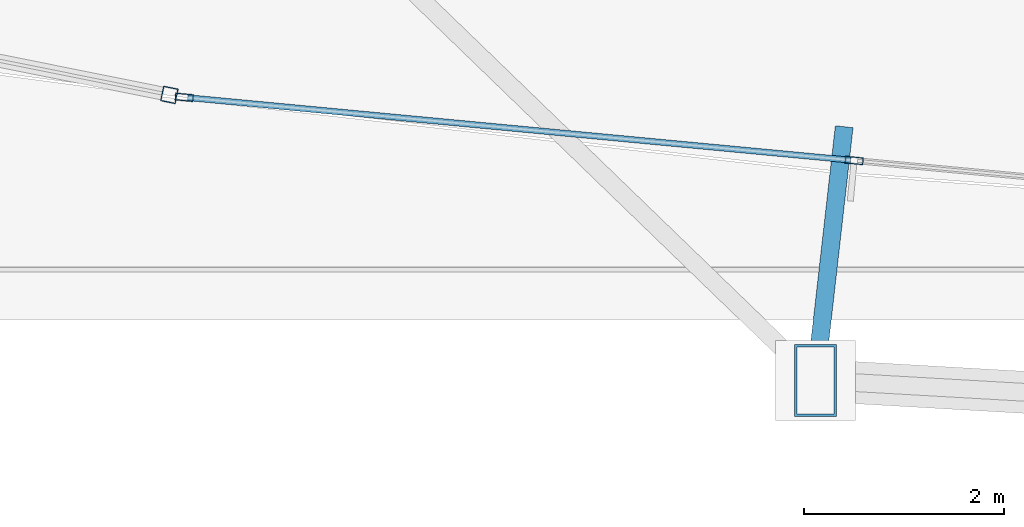
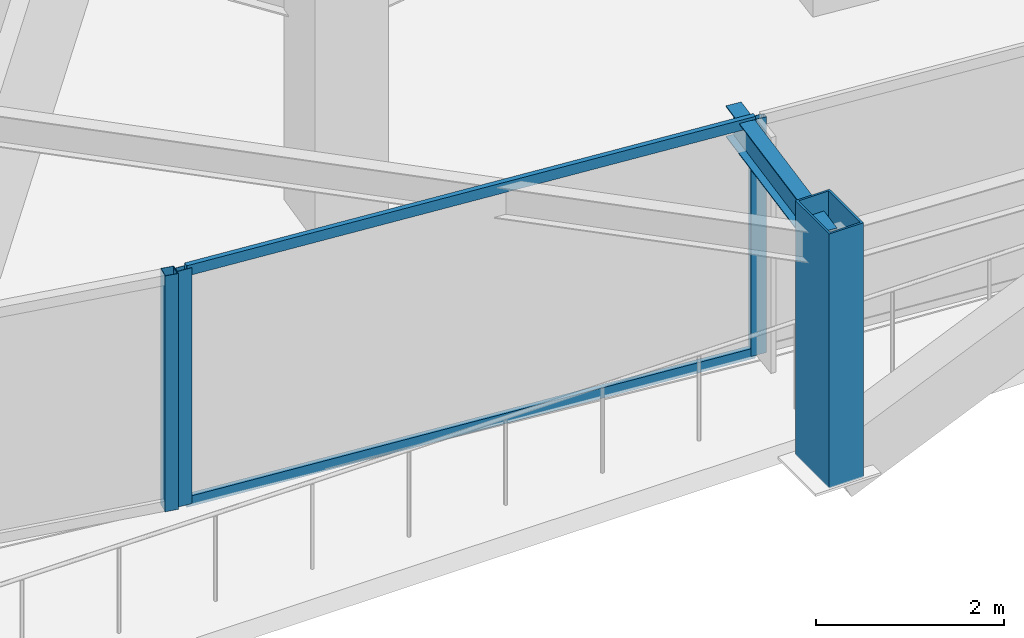
# One storey, part 4 of 36: 6 members, 1 beam, 2 elements without a shape of their own.
"""IFC4 building model written with IfcOpenShell, lengths in metres."""

from ifc_helpers import new_model, si_unit, direction, frame, origin, origin_2d, place, context, subcontext, project, spatial, hollow_rectangle, i_section, extrude, material, layer, layer_set, material_profile, profile_set, type_object, element, aggregate, save


model = new_model("IFC4")

# Units and contexts
model_context = context("Model", 3, precision=1e-05, world=origin(), true_north=direction((0.0, 1.0)))
body_context = subcontext(model_context, "Body", "Model", "MODEL_VIEW")
ifc_project = project(units=[si_unit("LENGTHUNIT", "METRE"), si_unit("AREAUNIT", "SQUARE_METRE"), si_unit("VOLUMEUNIT", "CUBIC_METRE"), si_unit("PLANEANGLEUNIT", "RADIAN"), si_unit("MASSUNIT", "GRAM", prefix="KILO")], contexts=[model_context])

# Site, building, storey
site_placement = place(None, origin())
site = spatial("IfcSite", under=ifc_project, at=site_placement, CompositionType="ELEMENT")
building_placement = place(site_placement, origin())
building = spatial("IfcBuilding", under=site, at=building_placement, Name="Orvanel Arch Residences", CompositionType="ELEMENT")
storey_placement = place(building_placement, frame((0.0, 0.0, 23.60009765625)))
storey = spatial("IfcBuildingStorey", under=building, at=storey_placement, Name="L05", CompositionType="ELEMENT", Elevation=23.60009765625)

# Member
ifc_material_1 = material(Name="Structural steel AS/NZS 3678 Grade 350", Category="steel")
ifc_material_profile_1 = material_profile(ifc_material_1, hollow_rectangle(XDim=0.419921875, YDim=0.719970703125, WallThickness=0.02490234375, at=origin_2d()), Name="RHS720x420x25")
ifc_profile_set_1 = profile_set([ifc_material_profile_1], Name="Structural steel AS/NZS 3678 Grade 350")
member_type_1 = type_object("IfcMemberType", Name="CH-720RHS-EXT", PredefinedType="CHORD", material=ifc_profile_set_1)
member_1_placement = place(storey_placement, frame((19.125, -0.35595703125, 0.0), z_axis=(0.0, 0.0, 1.0), x_axis=(1.0, 0.0, 0.0)))
element("IfcMember", 1, at=member_1_placement, inside=storey, type_object=member_type_1, Name="L05 Outer Perimeter Frame Post 05", PredefinedType="CHORD", context=body_context, shape_type="SweptSolid", body=[
    extrude(hollow_rectangle(XDim=0.419921875, YDim=0.719970703125, WallThickness=0.02490234375, at=origin_2d()), origin(), (0.0, 0.0, 1.0), 3.2998046875),
])

# Curtain wall, member
ifc_material_2 = material(Name="Bronze-anodised aluminium AA6063-T6", Category="aluminium")
ifc_layer_1 = layer(ifc_material_2, 0.18994140625)
ifc_layer_set_1 = layer_set([ifc_layer_1], Name="Bronze-anodised aluminium AA6063-T6")
curtain_wall_type_1 = type_object("IfcCurtainWallType", Name="CW5-CRN-SYS", PredefinedType="NOTDEFINED", material=ifc_layer_set_1)
curtain_wall_1_placement = place(storey_placement, origin())
curtain_wall_1 = element("IfcCurtainWall", 2, at=curtain_wall_1_placement, inside=storey, type_object=curtain_wall_type_1, Name="L05 CW5-CRN-SYS Unitised Curtain Wall", PredefinedType="NOTDEFINED")
ifc_material_profile_2 = material_profile(ifc_material_2, hollow_rectangle(XDim=0.14990234375, YDim=0.14990234375, WallThickness=0.0048828125, at=origin_2d()), Name="ALU150x150x5")
ifc_profile_set_2 = profile_set([ifc_material_profile_2], Name="Bronze-anodised aluminium AA6063-T6")
member_type_2 = type_object("IfcMemberType", Name="MUL-150x150", PredefinedType="MULLION", material=ifc_profile_set_2)
member_2_placement = place(storey_placement, frame((12.673583984375, 2.494873046875, 0.0), z_axis=(0.0, 0.0, 1.0), x_axis=(0.197038556687, 0.980395740086, 0.0)))
member_2 = element("IfcMember", 3, at=member_2_placement, type_object=member_type_2, Name="CW-S5 mullion 3", PredefinedType="MULLION", context=body_context, shape_type="SweptSolid", body=[
    extrude(hollow_rectangle(XDim=0.14990234375, YDim=0.14990234375, WallThickness=0.0048828125, at=origin_2d()), origin(), (0.0, 0.0, 1.0), 3.059814453125),
])
aggregate(curtain_wall_1, [member_2])

# Curtain wall, members
ifc_layer_2 = layer(ifc_material_2, 0.179931640625)
ifc_layer_set_2 = layer_set([ifc_layer_2], Name="Bronze-anodised aluminium AA6063-T6")
curtain_wall_type_2 = type_object("IfcCurtainWallType", Name="CW2-LOW-SYS", PredefinedType="NOTDEFINED", material=ifc_layer_set_2)
curtain_wall_2_placement = place(storey_placement, origin())
curtain_wall_2 = element("IfcCurtainWall", 4, at=curtain_wall_2_placement, inside=storey, type_object=curtain_wall_type_2, Name="L05 CW2-LOW-SYS Unitised Curtain Wall", PredefinedType="NOTDEFINED")
ifc_material_profile_3 = material_profile(ifc_material_2, hollow_rectangle(XDim=0.070068359375, YDim=0.179931640625, WallThickness=0.00439453125, at=origin_2d()), Name="ALU180x70x4.5")
ifc_profile_set_3 = profile_set([ifc_material_profile_3], Name="Bronze-anodised aluminium AA6063-T6")
member_type_3 = type_object("IfcMemberType", Name="MUL-180x70", PredefinedType="MULLION", material=ifc_profile_set_3)
member_3_placement = place(storey_placement, frame((12.82177734375, 2.470703125, 0.0), z_axis=(0.0, 0.0, 1.0), x_axis=(0.093865833683, 0.995584855885, 0.0)))
member_3 = element("IfcMember", 5, at=member_3_placement, type_object=member_type_3, Name="CW-S2 mullion 1", PredefinedType="MULLION", context=body_context, shape_type="SweptSolid", body=[
    extrude(hollow_rectangle(XDim=0.070068359375, YDim=0.179931640625, WallThickness=0.00439453125, at=origin_2d()), origin(), (0.0, 0.0, 1.0), 3.059814453125),
])
member_4_placement = place(storey_placement, frame((19.511474609375, 1.840087890625, 0.0), z_axis=(0.0, 0.0, 1.0), x_axis=(0.093865833683, 0.995584855885, 0.0)))
member_4 = element("IfcMember", 6, at=member_4_placement, type_object=member_type_3, Name="CW-S2 mullion 2", PredefinedType="MULLION", context=body_context, shape_type="SweptSolid", body=[
    extrude(hollow_rectangle(XDim=0.070068359375, YDim=0.179931640625, WallThickness=0.00439453125, at=origin_2d()), origin(), (0.0, 0.0, 1.0), 3.059814453125),
])

# Beam
ifc_material_3 = material(Name="Structural steel AS/NZS 3679.1 Grade 300 (300 MPa)", Category="steel")
ifc_material_profile_4 = material_profile(ifc_material_3, i_section(OverallWidth=0.177978515625, OverallDepth=0.406005859375, WebThickness=0.0078125, FlangeThickness=0.0126953125, at=origin_2d()), Name="410UB59.7")
ifc_profile_set_4 = profile_set([ifc_material_profile_4], Name="Structural steel AS/NZS 3679.1 Grade 300 (300 MPa)")
beam_type = type_object("IfcBeamType", Name="OB-410UB-EXT", PredefinedType="SPANDREL", material=ifc_profile_set_4)
beam_placement = place(storey_placement, frame((19.412109375, 2.177001953125, 2.85693359375), z_axis=(-0.11262817851, -0.993637204117, 0.0), x_axis=(0.993637204117, -0.11262817851, 0.0)))
element("IfcBeam", 7, at=beam_placement, inside=storey, type_object=beam_type, Name="L05 Outer Frame Radial Tie Beam 05", PredefinedType="SPANDREL", context=body_context, shape_type="SweptSolid", body=[
    extrude(i_section(OverallWidth=0.177978515625, OverallDepth=0.406005859375, WebThickness=0.0078125, FlangeThickness=0.0126953125, at=origin_2d()), origin(), (0.0, 0.0, 1.0), 2.549072265625),
])

# Member
ifc_material_profile_5 = material_profile(ifc_material_2, hollow_rectangle(XDim=0.06005859375, YDim=0.135009765625, WallThickness=0.00390625, at=origin_2d()), Name="ALU135x60x4")
ifc_profile_set_5 = profile_set([ifc_material_profile_5], Name="Bronze-anodised aluminium AA6063-T6")
member_type_4 = type_object("IfcMemberType", Name="TRN-135x60", PredefinedType="USERDEFINED", material=ifc_profile_set_5)
member_5_placement = place(storey_placement, frame((12.856689453125, 2.467529296875, 0.02978515625), z_axis=(0.99558300012, -0.093885514708, 0.0), x_axis=(0.093885514708, 0.99558300012, 0.0)))
member_5 = element("IfcMember", 8, at=member_5_placement, type_object=member_type_4, Name="CW-S2 transom 1.1", ObjectType="TRANSOM", PredefinedType="USERDEFINED", context=body_context, shape_type="SweptSolid", body=[
    extrude(hollow_rectangle(XDim=0.06005859375, YDim=0.135009765625, WallThickness=0.00390625, at=origin_2d()), origin(), (0.0, 0.0, 1.0), 6.649169921875),
])

member_6_placement = place(storey_placement, frame((12.856689453125, 2.467529296875, 3.02978515625), z_axis=(0.99558300012, -0.093885514708, 0.0), x_axis=(0.093885514708, 0.99558300012, 0.0)))
member_6 = element("IfcMember", 9, at=member_6_placement, type_object=member_type_4, Name="CW-S2 transom 1.2", ObjectType="TRANSOM", PredefinedType="USERDEFINED", context=body_context, shape_type="SweptSolid", body=[
    extrude(hollow_rectangle(XDim=0.06005859375, YDim=0.135009765625, WallThickness=0.00390625, at=origin_2d()), origin(), (0.0, 0.0, 1.0), 6.649169921875),
])

aggregate(curtain_wall_2, [member_3, member_4, member_5, member_6])

save(model, "model.ifc")
